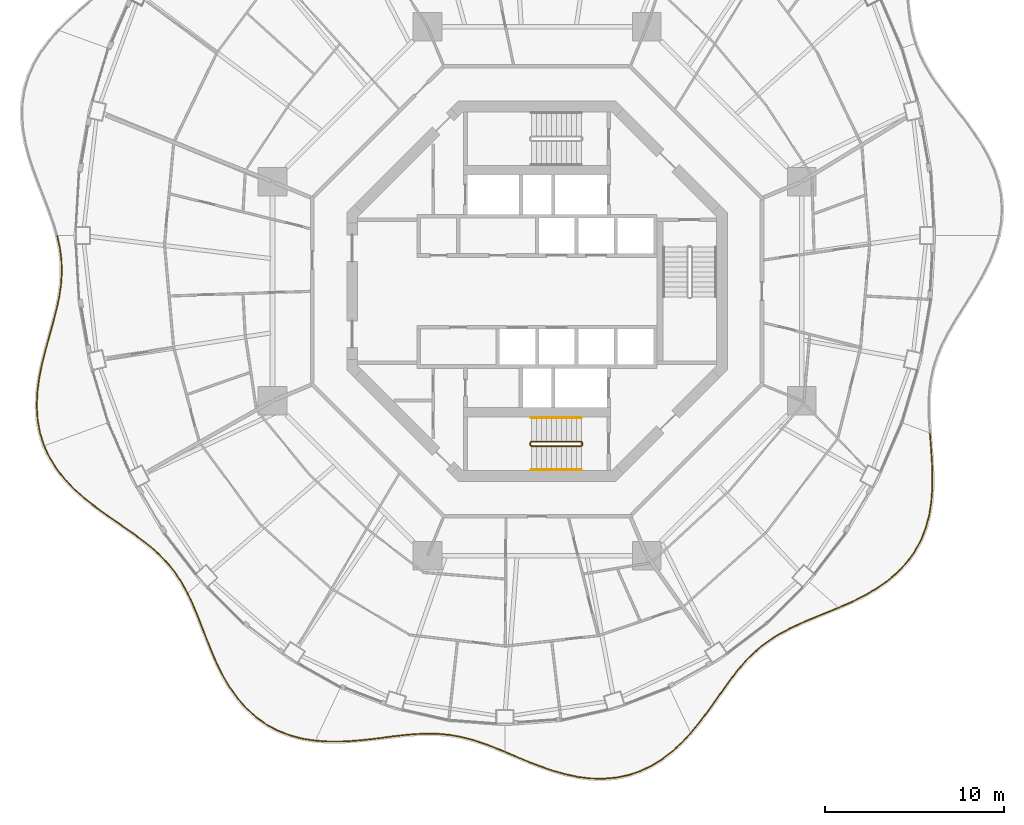
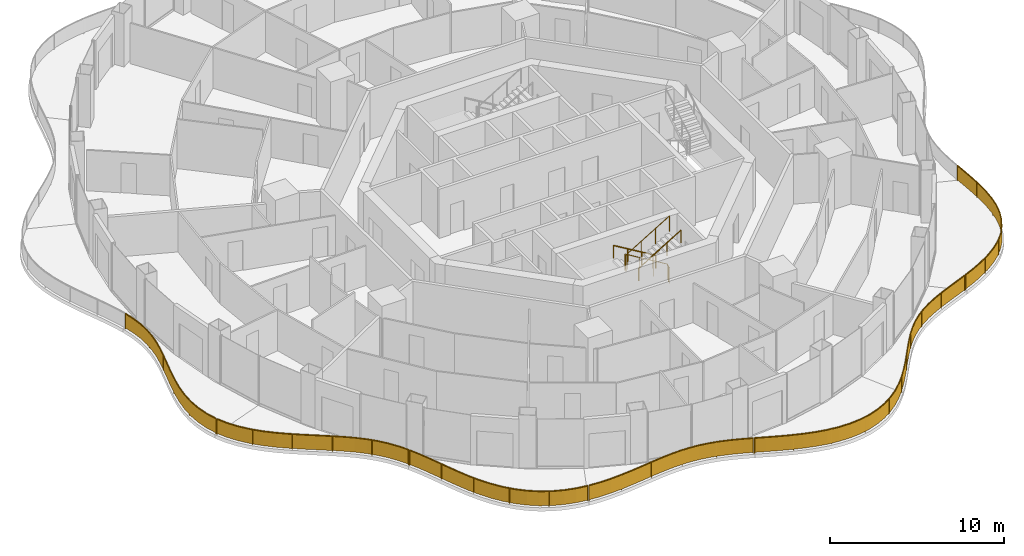
# One storey, part 16 of 18: 10 railings.
"""IFC4 building model written with IfcOpenShell, lengths in metres."""

from ifc_helpers import new_model, si_unit, direction, frame, origin, origin_2d, place, context, subcontext, project, spatial, polyline, rectangle, circle, outline, extrude, material, type_object, element, save


model = new_model("IFC4")

# Units and contexts
model_context = context("Model", 3, precision=1e-05, world=origin(), true_north=direction((0.0, 1.0)))
body_context = subcontext(model_context, "Body", "Model", "MODEL_VIEW")
ifc_project = project(units=[si_unit("LENGTHUNIT", "METRE"), si_unit("AREAUNIT", "SQUARE_METRE"), si_unit("VOLUMEUNIT", "CUBIC_METRE"), si_unit("PLANEANGLEUNIT", "RADIAN"), si_unit("MASSUNIT", "GRAM", prefix="KILO")], contexts=[model_context])

# Site, building, storey
site_placement = place(None, origin())
site = spatial("IfcSite", under=ifc_project, at=site_placement, CompositionType="ELEMENT")
building_placement = place(site_placement, origin())
building = spatial("IfcBuilding", under=site, at=building_placement, Name="Nagisa Residences", CompositionType="ELEMENT")
storey_placement = place(building_placement, frame((0.0, 0.0, 215.89990234375)))
storey = spatial("IfcBuildingStorey", under=building, at=storey_placement, Name="L54", CompositionType="ELEMENT", Elevation=215.89990234375)

# Railings
ifc_material_1 = material(Name="Stainless steel 316", Category="steel")
railing_type_1 = type_object("IfcRailingType", Name="BALCONY GUARD 1100", PredefinedType="BALUSTRADE", material=ifc_material_1)
railing_1_placement = place(storey_placement, frame((-26.8056640625, 3.0830078125, 0.0)))
element("IfcRailing", 1, at=railing_1_placement, inside=storey, type_object=railing_type_1, Name="guard:L54:bal08-0", PredefinedType="BALUSTRADE", context=body_context, shape_type="SweptSolid", body=[
    extrude(outline(polyline([(0.167236328125, -0.64208984375), (0.0244140625, 0.00537109375), (-0.0244140625, -0.00537109375), (0.117919921875, -0.65087890625), (0.205810546875, -1.33349609375), (0.2275390625, -2.017822265625), (0.184326171875, -2.708740234375), (0.081298828125, -3.411376953125), (-0.07275390625, -4.11474609375), (-0.26171875, -4.8486328125), (-0.470703125, -5.60009765625), (-0.681396484375, -6.366943359375), (-0.874755859375, -7.146484375), (-1.03466796875, -7.92041015625), (-1.1376953125, -8.7099609375), (-1.171630859375, -9.494140625), (-1.123779296875, -10.26513671875), (-0.98681640625, -11.015625), (-0.770751953125, -11.692626953125), (-0.722900390625, -11.677490234375), (-0.93798828125, -11.00341796875), (-1.073974609375, -10.25927734375), (-1.121337890625, -9.49365234375), (-1.087890625, -8.71435546875), (-0.9853515625, -7.9287109375), (-0.825927734375, -7.15771484375), (-0.633056640625, -6.379638671875), (-0.42236328125, -5.61328125), (-0.21337890625, -4.86181640625), (-0.02392578125, -4.12646484375), (0.130615234375, -3.420166015625), (0.234130859375, -2.714111328125), (0.27783203125, -2.018798828125), (0.255615234375, -1.32958984375), (0.167236328125, -0.64208984375)])), frame((0.0, 0.0, 1.050048828125)), (0.0, 0.0, 1.0), 0.050048828125),
    extrude(outline(polyline([(0.1494140625, -0.645263671875), (0.0068359375, 0.00146484375), (-0.0068359375, -0.00146484375), (0.1357421875, -0.647705078125), (0.2236328125, -1.33203125), (0.24560546875, -2.018310546875), (0.2021484375, -2.710693359375), (0.09912109375, -3.41455078125), (-0.05517578125, -4.118896484375), (-0.244384765625, -4.853515625), (-0.453369140625, -5.604736328125), (-0.6640625, -6.37158203125), (-0.857177734375, -7.150634765625), (-1.016845703125, -7.92333984375), (-1.119873046875, -8.711669921875), (-1.153564453125, -9.493896484375), (-1.10595703125, -10.262939453125), (-0.96923828125, -11.01123046875), (-0.75341796875, -11.687255859375), (-0.740234375, -11.682861328125), (-0.95556640625, -11.0078125), (-1.091796875, -10.261474609375), (-1.139404296875, -9.493896484375), (-1.105712890625, -8.712646484375), (-1.003173828125, -7.92578125), (-0.843505859375, -7.153564453125), (-0.650390625, -6.375), (-0.439697265625, -5.608642578125), (-0.230712890625, -4.85693359375), (-0.04150390625, -4.122314453125), (0.11279296875, -3.4169921875), (0.21630859375, -2.712158203125), (0.259765625, -2.018310546875), (0.23779296875, -1.3310546875), (0.1494140625, -0.645263671875)])), frame((0.0, 0.0, 0.06005859375)), (0.0, 0.0, 1.0), 0.989990234375),
    extrude(rectangle(XDim=0.0400390625, YDim=0.0400390625, at=origin_2d()), origin(), (0.0, 0.0, 1.0), 1.050048828125),
    extrude(rectangle(XDim=0.0400390625, YDim=0.0400390625, at=origin_2d()), frame((0.231201171875, -2.359375, 0.0)), (0.0, 0.0, 1.0), 1.050048828125),
    extrude(rectangle(XDim=0.0400390625, YDim=0.0400390625, at=origin_2d()), frame((-0.19677734375, -4.697265625, 0.0)), (0.0, 0.0, 1.0), 1.050048828125),
    extrude(rectangle(XDim=0.0400390625, YDim=0.0400390625, at=origin_2d()), frame((-0.81201171875, -6.997802734375, 0.0)), (0.0, 0.0, 1.0), 1.050048828125),
    extrude(rectangle(XDim=0.0400390625, YDim=0.0400390625, at=origin_2d()), frame((-1.140380859375, -9.35107421875, 0.0)), (0.0, 0.0, 1.0), 1.050048828125),
    extrude(rectangle(XDim=0.0400390625, YDim=0.0400390625, at=origin_2d()), frame((-0.746826171875, -11.68505859375, 0.0)), (0.0, 0.0, 1.0), 1.050048828125),
])
railing_2_placement = place(storey_placement, frame((-27.524169921875, -8.674072265625, 0.0)))
element("IfcRailing", 2, at=railing_2_placement, inside=storey, type_object=railing_type_1, Name="guard:L54:bal09-0", PredefinedType="BALUSTRADE", context=body_context, shape_type="SweptSolid", body=[
    extrude(outline(polyline([(0.3134765625, -0.611083984375), (0.022705078125, 0.010498046875), (-0.022705078125, -0.010498046875), (0.26953125, -0.635009765625), (0.66357421875, -1.266357421875), (1.13232421875, -1.859130859375), (1.66357421875, -2.41357421875), (2.244140625, -2.931396484375), (2.851806640625, -3.403564453125), (3.48388671875, -3.8623046875), (4.117919921875, -4.30224609375), (4.73876953125, -4.732666015625), (5.333251953125, -5.162841796875), (5.8828125, -5.59033203125), (6.396728515625, -6.049072265625), (6.862060546875, -6.535400390625), (7.27880859375, -7.0556640625), (7.64990234375, -7.614013671875), (7.96044921875, -8.17626953125), (8.00439453125, -8.15185546875), (7.69287109375, -7.588134765625), (7.3193359375, -7.02587890625), (6.899658203125, -6.502197265625), (6.431396484375, -6.012939453125), (5.9150390625, -5.5517578125), (5.363525390625, -5.122802734375), (4.767578125, -4.691650390625), (4.146240234375, -4.26123046875), (3.5126953125, -3.8212890625), (2.882080078125, -3.363525390625), (2.2763671875, -2.892822265625), (1.6982421875, -2.37744140625), (1.169921875, -1.826416015625), (0.70458984375, -1.237548828125), (0.3134765625, -0.611083984375)])), frame((0.0, 0.0, 1.050048828125)), (0.0, 0.0, 1.0), 0.050048828125),
    extrude(outline(polyline([(0.297607421875, -0.61962890625), (0.00634765625, 0.0029296875), (-0.00634765625, -0.0029296875), (0.285400390625, -0.62646484375), (0.678466796875, -1.256103515625), (1.145751953125, -1.847412109375), (1.676025390625, -2.400634765625), (2.255859375, -2.91748046875), (2.86279296875, -3.38916015625), (3.494140625, -3.847412109375), (4.128173828125, -4.28759765625), (4.7490234375, -4.7177734375), (5.34423828125, -5.1484375), (5.89453125, -5.576416015625), (6.4091796875, -6.0361328125), (6.87548828125, -6.5234375), (7.29345703125, -7.044921875), (7.665283203125, -7.604736328125), (7.976318359375, -8.16748046875), (7.988525390625, -8.16064453125), (7.677490234375, -7.597412109375), (7.3046875, -7.03662109375), (6.88623046875, -6.51416015625), (6.4189453125, -6.02587890625), (5.9033203125, -5.565673828125), (5.3525390625, -5.13720703125), (4.75732421875, -4.70654296875), (4.135986328125, -4.27587890625), (3.50244140625, -3.836181640625), (2.87109375, -3.3779296875), (2.2646484375, -2.90673828125), (1.685791015625, -2.390380859375), (1.156494140625, -1.838134765625), (0.689697265625, -1.247802734375), (0.297607421875, -0.61962890625)])), frame((0.0, 0.0, 0.06005859375)), (0.0, 0.0, 1.0), 0.989990234375),
    extrude(rectangle(XDim=0.0400390625, YDim=0.0400390625, at=origin_2d()), origin(), (0.0, 0.0, 1.0), 1.050048828125),
    extrude(rectangle(XDim=0.0400390625, YDim=0.0400390625, at=origin_2d()), frame((1.243896484375, -1.939697265625, 0.0)), (0.0, 0.0, 1.0), 1.050048828125),
    extrude(rectangle(XDim=0.0400390625, YDim=0.0400390625, at=origin_2d()), frame((2.980712890625, -3.466064453125, 0.0)), (0.0, 0.0, 1.0), 1.050048828125),
    extrude(rectangle(XDim=0.0400390625, YDim=0.0400390625, at=origin_2d()), frame((4.87451171875, -4.7998046875, 0.0)), (0.0, 0.0, 1.0), 1.050048828125),
    extrude(rectangle(XDim=0.0400390625, YDim=0.0400390625, at=origin_2d()), frame((6.651611328125, -6.279052734375, 0.0)), (0.0, 0.0, 1.0), 1.050048828125),
    extrude(rectangle(XDim=0.0400390625, YDim=0.0400390625, at=origin_2d()), frame((7.982421875, -8.1640625, 0.0)), (0.0, 0.0, 1.0), 1.050048828125),
])
railing_3_placement = place(storey_placement, frame((-19.51123046875, -16.90283203125, 0.0)))
element("IfcRailing", 3, at=railing_3_placement, inside=storey, type_object=railing_type_1, Name="guard:L54:bal10-0", PredefinedType="BALUSTRADE", context=body_context, shape_type="SweptSolid", body=[
    extrude(outline(polyline([(0.291259765625, -0.559814453125), (0.022705078125, 0.0107421875), (-0.022705078125, -0.0107421875), (0.245361328125, -0.580322265625), (0.51416015625, -1.22021484375), (0.77490234375, -1.88623046875), (1.039794921875, -2.57080078125), (1.319091796875, -3.263427734375), (1.6123046875, -3.94189453125), (1.952880859375, -4.615478515625), (2.336669921875, -5.260498046875), (2.76904296875, -5.864501953125), (3.253662109375, -6.416015625), (3.779541015625, -6.897216796875), (4.366455078125, -7.314697265625), (5.002685546875, -7.658203125), (5.680419921875, -7.92431640625), (6.392333984375, -8.114013671875), (7.082275390625, -8.221923828125), (7.090087890625, -8.172607421875), (6.402587890625, -8.065185546875), (5.696044921875, -7.87646484375), (5.023681640625, -7.61279296875), (4.392822265625, -7.272216796875), (3.811279296875, -6.858154296875), (3.289306640625, -6.380859375), (2.80810546875, -5.833251953125), (2.378662109375, -5.233154296875), (1.996826171875, -4.591552734375), (1.65771484375, -3.9208984375), (1.365478515625, -3.243896484375), (1.086181640625, -2.55224609375), (0.82177734375, -1.8681640625), (0.560546875, -1.201171875), (0.291259765625, -0.559814453125)])), frame((0.0, 0.0, 1.050048828125)), (0.0, 0.0, 1.0), 0.050048828125),
    extrude(outline(polyline([(0.274658203125, -0.567138671875), (0.00634765625, 0.0029296875), (-0.00634765625, -0.0029296875), (0.261962890625, -0.572998046875), (0.53076171875, -1.21337890625), (0.791748046875, -1.879638671875), (1.056396484375, -2.564208984375), (1.3359375, -3.25634765625), (1.628662109375, -3.934326171875), (1.96875, -4.60693359375), (2.351806640625, -5.250732421875), (2.783203125, -5.853271484375), (3.266357421875, -6.4033203125), (3.791015625, -6.883056640625), (4.3759765625, -7.29931640625), (5.01025390625, -7.641845703125), (5.68603515625, -7.906982421875), (6.39599609375, -8.096435546875), (7.085205078125, -8.2041015625), (7.087158203125, -8.1904296875), (6.39892578125, -8.082763671875), (5.6904296875, -7.893798828125), (5.01611328125, -7.629150390625), (4.38330078125, -7.28759765625), (3.7998046875, -6.872314453125), (3.276611328125, -6.3935546875), (2.7939453125, -5.844482421875), (2.363525390625, -5.242919921875), (1.98095703125, -4.60009765625), (1.641357421875, -3.928466796875), (1.3486328125, -3.2509765625), (1.069580078125, -2.558837890625), (0.804931640625, -1.874755859375), (0.5439453125, -1.2080078125), (0.274658203125, -0.567138671875)])), frame((0.0, 0.0, 0.06005859375)), (0.0, 0.0, 1.0), 0.989990234375),
    extrude(rectangle(XDim=0.0400390625, YDim=0.0400390625, at=origin_2d()), origin(), (0.0, 0.0, 1.0), 1.050048828125),
    extrude(rectangle(XDim=0.0400390625, YDim=0.0400390625, at=origin_2d()), frame((0.89453125, -2.125732421875, 0.0)), (0.0, 0.0, 1.0), 1.050048828125),
    extrude(rectangle(XDim=0.0400390625, YDim=0.0400390625, at=origin_2d()), frame((1.79541015625, -4.24853515625, 0.0)), (0.0, 0.0, 1.0), 1.050048828125),
    extrude(rectangle(XDim=0.0400390625, YDim=0.0400390625, at=origin_2d()), frame((3.066162109375, -6.164794921875, 0.0)), (0.0, 0.0, 1.0), 1.050048828125),
    extrude(rectangle(XDim=0.0400390625, YDim=0.0400390625, at=origin_2d()), frame((4.88037109375, -7.563720703125, 0.0)), (0.0, 0.0, 1.0), 1.050048828125),
    extrude(rectangle(XDim=0.0400390625, YDim=0.0400390625, at=origin_2d()), frame((7.086181640625, -8.197265625, 0.0)), (0.0, 0.0, 1.0), 1.050048828125),
])
railing_4_placement = place(storey_placement, frame((-12.34814453125, -25.10791015625, 0.0)))
element("IfcRailing", 4, at=railing_4_placement, inside=storey, type_object=railing_type_1, Name="guard:L54:bal11-0", PredefinedType="BALUSTRADE", context=body_context, shape_type="SweptSolid", body=[
    extrude(outline(polyline([(0.678466796875, -0.021240234375), (0.001708984375, 0.02490234375), (-0.001708984375, -0.02490234375), (0.676513671875, -0.071044921875), (1.409912109375, -0.07177734375), (2.142578125, -0.03125), (2.86865234375, 0.03759765625), (3.582275390625, 0.122314453125), (4.26318359375, 0.214599609375), (4.94189453125, 0.29150390625), (5.60205078125, 0.346923828125), (6.244384765625, 0.370361328125), (6.871337890625, 0.35498046875), (7.468994140625, 0.29736328125), (8.078125, 0.190673828125), (8.685302734375, 0.037841796875), (9.29638671875, -0.156982421875), (9.915771484375, -0.3876953125), (10.50439453125, -0.6298828125), (10.5234375, -0.58349609375), (9.933837890625, -0.34130859375), (9.3125, -0.109619140625), (8.698974609375, 0.086181640625), (8.08837890625, 0.239501953125), (7.475830078125, 0.34716796875), (6.874267578125, 0.40478515625), (6.243896484375, 0.420654296875), (5.59912109375, 0.396728515625), (4.93701171875, 0.34130859375), (4.2568359375, 0.264404296875), (3.575927734375, 0.172119140625), (2.86328125, 0.08740234375), (2.138671875, 0.0185546875), (1.408447265625, -0.021484375), (0.678466796875, -0.021240234375)])), frame((0.0, 0.0, 1.050048828125)), (0.0, 0.0, 1.0), 0.050048828125),
    extrude(outline(polyline([(0.677734375, -0.0390625), (0.00048828125, 0.007080078125), (-0.00048828125, -0.007080078125), (0.67724609375, -0.05322265625), (1.409423828125, -0.0537109375), (2.14111328125, -0.013427734375), (2.86669921875, 0.055419921875), (3.580078125, 0.140380859375), (4.260986328125, 0.232666015625), (4.940185546875, 0.309326171875), (5.60107421875, 0.36474609375), (6.244140625, 0.388427734375), (6.872314453125, 0.372802734375), (7.471435546875, 0.3154296875), (8.081787109375, 0.208251953125), (8.690185546875, 0.05517578125), (9.30224609375, -0.139892578125), (9.92236328125, -0.37109375), (10.51123046875, -0.61328125), (10.5166015625, -0.60009765625), (9.92724609375, -0.35791015625), (9.306640625, -0.126708984375), (8.694091796875, 0.06884765625), (8.084716796875, 0.221923828125), (7.473388671875, 0.3291015625), (6.873291015625, 0.386962890625), (6.244140625, 0.402587890625), (5.60009765625, 0.37890625), (4.938720703125, 0.323486328125), (4.259033203125, 0.246337890625), (3.578125, 0.154052734375), (2.865234375, 0.069580078125), (2.14013671875, 0.000732421875), (1.408935546875, -0.03955078125), (0.677734375, -0.0390625)])), frame((0.0, 0.0, 0.06005859375)), (0.0, 0.0, 1.0), 0.989990234375),
    extrude(rectangle(XDim=0.0400390625, YDim=0.0400390625, at=origin_2d()), origin(), (0.0, 0.0, 1.0), 1.050048828125),
    extrude(rectangle(XDim=0.0400390625, YDim=0.0400390625, at=origin_2d()), frame((2.13525390625, -0.006591796875, 0.0)), (0.0, 0.0, 1.0), 1.050048828125),
    extrude(rectangle(XDim=0.0400390625, YDim=0.0400390625, at=origin_2d()), frame((4.258544921875, 0.2392578125, 0.0)), (0.0, 0.0, 1.0), 1.050048828125),
    extrude(rectangle(XDim=0.0400390625, YDim=0.0400390625, at=origin_2d()), frame((6.389404296875, 0.391845703125, 0.0)), (0.0, 0.0, 1.0), 1.050048828125),
    extrude(rectangle(XDim=0.0400390625, YDim=0.0400390625, at=origin_2d()), frame((8.501953125, 0.10986328125, 0.0)), (0.0, 0.0, 1.0), 1.050048828125),
    extrude(rectangle(XDim=0.0400390625, YDim=0.0400390625, at=origin_2d()), frame((10.513916015625, -0.606689453125, 0.0)), (0.0, 0.0, 1.0), 1.050048828125),
])
railing_5_placement = place(storey_placement, frame((-1.765869140625, -25.745361328125, 0.0)))
element("IfcRailing", 5, at=railing_5_placement, inside=storey, type_object=railing_type_1, Name="guard:L54:bal12-0", PredefinedType="BALUSTRADE", context=body_context, shape_type="SweptSolid", body=[
    extrude(outline(polyline([(0.614013671875, -0.234619140625), (0.009765625, 0.02294921875), (-0.009765625, -0.02294921875), (0.594482421875, -0.280517578125), (1.2587890625, -0.556396484375), (1.93994140625, -0.820556640625), (2.636474609375, -1.059814453125), (3.344482421875, -1.26025390625), (4.04541015625, -1.411376953125), (4.765869140625, -1.497314453125), (5.482421875, -1.512451171875), (6.189208984375, -1.449951171875), (6.87890625, -1.306640625), (7.529296875, -1.08740234375), (8.1669921875, -0.785400390625), (8.7724609375, -0.410888671875), (9.343017578125, 0.02783203125), (9.87744140625, 0.520263671875), (10.343017578125, 1.022705078125), (10.306396484375, 1.056884765625), (9.84228515625, 0.555908203125), (9.310791015625, 0.06591796875), (8.744140625, -0.369873046875), (8.14306640625, -0.741455078125), (7.5107421875, -1.041015625), (6.86572265625, -1.25830078125), (6.181884765625, -1.400146484375), (5.48095703125, -1.462158203125), (4.769287109375, -1.447509765625), (4.0537109375, -1.362060546875), (3.356689453125, -1.21142578125), (2.651611328125, -1.011962890625), (1.95703125, -0.773681640625), (1.27734375, -0.510009765625), (0.614013671875, -0.234619140625)])), frame((0.0, 0.0, 1.050048828125)), (0.0, 0.0, 1.0), 0.050048828125),
    extrude(outline(polyline([(0.60693359375, -0.251220703125), (0.002685546875, 0.00634765625), (-0.002685546875, -0.00634765625), (0.6015625, -0.263916015625), (1.265380859375, -0.539794921875), (1.946044921875, -0.8037109375), (2.641845703125, -1.04248046875), (3.348876953125, -1.24267578125), (4.04833984375, -1.3935546875), (4.76708984375, -1.4794921875), (5.48193359375, -1.494384765625), (6.1865234375, -1.431884765625), (6.874267578125, -1.289306640625), (7.522705078125, -1.07080078125), (8.158447265625, -0.76953125), (8.76220703125, -0.396240234375), (9.331298828125, 0.04150390625), (9.86474609375, 0.533203125), (10.329833984375, 1.03515625), (10.319580078125, 1.04443359375), (9.85498046875, 0.54296875), (9.322509765625, 0.05224609375), (8.75439453125, -0.384521484375), (8.151611328125, -0.75732421875), (7.517333984375, -1.0576171875), (6.870361328125, -1.275634765625), (6.1845703125, -1.418212890625), (5.4814453125, -1.480224609375), (4.76806640625, -1.46533203125), (4.05078125, -1.3798828125), (3.352294921875, -1.22900390625), (2.646240234375, -1.029296875), (1.950927734375, -0.79052734375), (1.270751953125, -0.526611328125), (0.60693359375, -0.251220703125)])), frame((0.0, 0.0, 0.06005859375)), (0.0, 0.0, 1.0), 0.989990234375),
    extrude(rectangle(XDim=0.0400390625, YDim=0.0400390625, at=origin_2d()), origin(), (0.0, 0.0, 1.0), 1.050048828125),
    extrude(rectangle(XDim=0.0400390625, YDim=0.0400390625, at=origin_2d()), frame((2.10546875, -0.85107421875, 0.0)), (0.0, 0.0, 1.0), 1.050048828125),
    extrude(rectangle(XDim=0.0400390625, YDim=0.0400390625, at=origin_2d()), frame((4.30029296875, -1.416748046875, 0.0)), (0.0, 0.0, 1.0), 1.050048828125),
    extrude(rectangle(XDim=0.0400390625, YDim=0.0400390625, at=origin_2d()), frame((6.5576171875, -1.347900390625, 0.0)), (0.0, 0.0, 1.0), 1.050048828125),
    extrude(rectangle(XDim=0.0400390625, YDim=0.0400390625, at=origin_2d()), frame((8.634765625, -0.466796875, 0.0)), (0.0, 0.0, 1.0), 1.050048828125),
    extrude(rectangle(XDim=0.0400390625, YDim=0.0400390625, at=origin_2d()), frame((10.32470703125, 1.039794921875, 0.0)), (0.0, 0.0, 1.0), 1.050048828125),
])
railing_6_placement = place(storey_placement, frame((8.60888671875, -24.64697265625, 0.0)))
element("IfcRailing", 6, at=railing_6_placement, inside=storey, type_object=railing_type_1, Name="guard:L54:bal13-0", PredefinedType="BALUSTRADE", context=body_context, shape_type="SweptSolid", body=[
    extrude(outline(polyline([(0.4326171875, 0.566162109375), (-0.019287109375, 0.015869140625), (0.019287109375, -0.015869140625), (0.47216796875, 0.535400390625), (0.927978515625, 1.137939453125), (1.36181640625, 1.743408203125), (1.781494140625, 2.337890625), (2.19677734375, 2.91064453125), (2.6025390625, 3.442138671875), (3.035400390625, 3.944580078125), (3.489990234375, 4.40478515625), (3.97314453125, 4.82177734375), (4.489501953125, 5.197509765625), (5.02978515625, 5.525390625), (5.61865234375, 5.833984375), (6.241455078125, 6.120849609375), (6.892822265625, 6.395751953125), (7.56591796875, 6.66943359375), (8.208984375, 6.932861328125), (8.18994140625, 6.979248046875), (7.546875, 6.7158203125), (6.873779296875, 6.442138671875), (6.221435546875, 6.166748046875), (5.5966796875, 5.87890625), (5.00537109375, 5.56884765625), (4.461669921875, 5.239013671875), (3.94189453125, 4.86083984375), (3.455810546875, 4.44140625), (2.998779296875, 3.978759765625), (2.5634765625, 3.473876953125), (2.15673828125, 2.9404296875), (1.740966796875, 2.3671875), (1.32080078125, 1.772216796875), (0.887451171875, 1.167724609375), (0.4326171875, 0.566162109375)])), frame((0.0, 0.0, 1.050048828125)), (0.0, 0.0, 1.0), 0.050048828125),
    extrude(outline(polyline([(0.44677734375, 0.55517578125), (-0.00537109375, 0.00439453125), (0.00537109375, -0.00439453125), (0.4580078125, 0.54638671875), (0.913330078125, 1.148681640625), (1.346923828125, 1.753662109375), (1.766845703125, 2.348388671875), (2.182373046875, 2.92138671875), (2.58837890625, 3.45361328125), (3.022216796875, 3.95703125), (3.477783203125, 4.41796875), (3.9619140625, 4.8359375), (4.4794921875, 5.21240234375), (5.02099609375, 5.541015625), (5.61083984375, 5.85009765625), (6.234375, 6.137451171875), (6.885986328125, 6.41259765625), (7.55908203125, 6.68603515625), (8.2021484375, 6.949462890625), (8.19677734375, 6.962646484375), (7.5537109375, 6.69921875), (6.880615234375, 6.42529296875), (6.228515625, 6.150146484375), (5.6044921875, 5.86279296875), (5.01416015625, 5.55322265625), (4.4716796875, 5.22412109375), (3.953125, 4.8466796875), (3.468017578125, 4.42822265625), (3.011962890625, 3.96630859375), (2.57763671875, 3.46240234375), (2.171142578125, 2.9296875), (1.755615234375, 2.356689453125), (1.335693359375, 1.761962890625), (0.902099609375, 1.156982421875), (0.44677734375, 0.55517578125)])), frame((0.0, 0.0, 0.06005859375)), (0.0, 0.0, 1.0), 0.989990234375),
    extrude(rectangle(XDim=0.0400390625, YDim=0.0400390625, at=origin_2d()), origin(), (0.0, 0.0, 1.0), 1.050048828125),
    extrude(rectangle(XDim=0.0400390625, YDim=0.0400390625, at=origin_2d()), frame((1.337646484375, 1.752685546875, 0.0)), (0.0, 0.0, 1.0), 1.050048828125),
    extrude(rectangle(XDim=0.0400390625, YDim=0.0400390625, at=origin_2d()), frame((2.64404296875, 3.529052734375, 0.0)), (0.0, 0.0, 1.0), 1.050048828125),
    extrude(rectangle(XDim=0.0400390625, YDim=0.0400390625, at=origin_2d()), frame((4.237060546875, 5.044677734375, 0.0)), (0.0, 0.0, 1.0), 1.050048828125),
    extrude(rectangle(XDim=0.0400390625, YDim=0.0400390625, at=origin_2d()), frame((6.161865234375, 6.11181640625, 0.0)), (0.0, 0.0, 1.0), 1.050048828125),
    extrude(rectangle(XDim=0.0400390625, YDim=0.0400390625, at=origin_2d()), frame((8.199462890625, 6.9560546875, 0.0)), (0.0, 0.0, 1.0), 1.050048828125),
])
railing_7_placement = place(storey_placement, frame((16.879150390625, -17.662353515625, 0.0)))
element("IfcRailing", 7, at=railing_7_placement, inside=storey, type_object=railing_type_1, Name="guard:L54:bal14-0", PredefinedType="BALUSTRADE", context=body_context, shape_type="SweptSolid", body=[
    extrude(outline(polyline([(0.6669921875, 0.320068359375), (-0.010009765625, 0.02294921875), (0.010009765625, -0.02294921875), (0.68798828125, 0.274658203125), (1.393310546875, 0.625732421875), (2.06982421875, 1.017578125), (2.704345703125, 1.458251953125), (3.282470703125, 1.94970703125), (3.787109375, 2.485107421875), (4.224609375, 3.0849609375), (4.581787109375, 3.733642578125), (4.857177734375, 4.426025390625), (5.052734375, 5.15380859375), (5.16845703125, 5.8955078125), (5.225830078125, 6.66796875), (5.23193359375, 7.448974609375), (5.19970703125, 8.2294921875), (5.146484375, 9.002197265625), (5.08984375, 9.7158203125), (5.0400390625, 9.7119140625), (5.0966796875, 8.998291015625), (5.14990234375, 8.2265625), (5.181640625, 7.447998046875), (5.176025390625, 6.669921875), (5.11865234375, 5.9013671875), (5.00390625, 5.1640625), (4.809814453125, 4.441650390625), (4.536376953125, 3.755126953125), (4.18212890625, 3.11181640625), (3.74853515625, 2.517333984375), (3.247802734375, 1.98583984375), (2.673583984375, 1.497802734375), (2.04296875, 1.06005859375), (1.369384765625, 0.669677734375), (0.6669921875, 0.320068359375)])), frame((0.0, 0.0, 1.050048828125)), (0.0, 0.0, 1.0), 0.050048828125),
    extrude(outline(polyline([(0.674560546875, 0.3037109375), (-0.0029296875, 0.00634765625), (0.0029296875, -0.00634765625), (0.680419921875, 0.291015625), (1.384765625, 0.6416015625), (2.06005859375, 1.032958984375), (2.693359375, 1.472412109375), (3.27001953125, 1.962646484375), (3.773193359375, 2.496826171875), (4.209228515625, 3.0947265625), (4.5654296875, 3.741455078125), (4.840087890625, 4.431640625), (5.03515625, 5.157470703125), (5.150634765625, 5.897705078125), (5.2080078125, 6.668701171875), (5.2138671875, 7.448486328125), (5.181884765625, 8.228515625), (5.128662109375, 9.000732421875), (5.072021484375, 9.71435546875), (5.057861328125, 9.71337890625), (5.114501953125, 8.999755859375), (5.167724609375, 8.2275390625), (5.19970703125, 7.448486328125), (5.19384765625, 6.669189453125), (5.136474609375, 5.899169921875), (5.021484375, 5.160400390625), (4.826904296875, 4.43603515625), (4.552734375, 3.747314453125), (4.197509765625, 3.10205078125), (3.762451171875, 2.505615234375), (3.26025390625, 1.972900390625), (2.6845703125, 1.483642578125), (2.052734375, 1.044677734375), (1.3779296875, 0.65380859375), (0.674560546875, 0.3037109375)])), frame((0.0, 0.0, 0.06005859375)), (0.0, 0.0, 1.0), 0.989990234375),
    extrude(rectangle(XDim=0.0400390625, YDim=0.0400390625, at=origin_2d()), origin(), (0.0, 0.0, 1.0), 1.050048828125),
    extrude(rectangle(XDim=0.0400390625, YDim=0.0400390625, at=origin_2d()), frame((1.806640625, 0.89404296875, 0.0)), (0.0, 0.0, 1.0), 1.050048828125),
    extrude(rectangle(XDim=0.0400390625, YDim=0.0400390625, at=origin_2d()), frame((3.404052734375, 2.115234375, 0.0)), (0.0, 0.0, 1.0), 1.050048828125),
    extrude(rectangle(XDim=0.0400390625, YDim=0.0400390625, at=origin_2d()), frame((4.56298828125, 3.75439453125, 0.0)), (0.0, 0.0, 1.0), 1.050048828125),
    extrude(rectangle(XDim=0.0400390625, YDim=0.0400390625, at=origin_2d()), frame((5.11083984375, 5.68798828125, 0.0)), (0.0, 0.0, 1.0), 1.050048828125),
    extrude(rectangle(XDim=0.0400390625, YDim=0.0400390625, at=origin_2d()), frame((5.196533203125, 7.70068359375, 0.0)), (0.0, 0.0, 1.0), 1.050048828125),
    extrude(rectangle(XDim=0.0400390625, YDim=0.0400390625, at=origin_2d()), frame((5.06494140625, 9.7138671875, 0.0)), (0.0, 0.0, 1.0), 1.050048828125),
])
ifc_material_2 = material(Name="Stainless steel", Category="steel")
railing_type_2 = type_object("IfcRailingType", Name="Stair guard 1100", PredefinedType="GUARDRAIL", material=ifc_material_2)
railing_8_placement = place(storey_placement, frame((2.52490234375, -8.599609375, 0.0)))
element("IfcRailing", 8, at=railing_8_placement, inside=storey, type_object=railing_type_2, Name="L54 ST-S stair guard 1", PredefinedType="GUARDRAIL", context=body_context, shape_type="SweptSolid", body=[
    extrude(circle(Radius=0.02392578125, at=origin_2d()), frame((0.0, 0.0, 1.076171875), z_axis=(0.0, 1.0, 0.0), x_axis=(-1.0, 0.0, 0.0)), (0.0, 0.0, 1.0), 0.14990234375),
    extrude(circle(Radius=0.02392578125, at=origin_2d()), frame((0.0, 0.14990234375, 1.076171875), z_axis=(-0.273006030465, 0.27434429532, 0.922064485248), x_axis=(-0.708833529934, -0.705375805398, 0.0)), (0.0, 0.0, 1.0), 0.182373046875),
    extrude(circle(Radius=0.02392578125, at=origin_2d()), frame((-0.0498046875, 0.199951171875, 1.244140625), z_axis=(-0.857242210791, 0.0, 0.514913383045), x_axis=(0.0, -1.0, 0.0)), (0.0, 0.0, 1.0), 3.266357421875),
    extrude(circle(Radius=0.02392578125, at=origin_2d()), frame((-2.849853515625, 0.199951171875, 2.92626953125), z_axis=(-0.707106781187, -0.707106781187, 0.0), x_axis=(0.707106781187, -0.707106781187, 0.0)), (0.0, 0.0, 1.0), 0.07080078125),
    extrude(circle(Radius=0.02392578125, at=origin_2d()), frame((-2.89990234375, 0.14990234375, 2.92626953125), z_axis=(0.0, -1.0, 0.0), x_axis=(1.0, 0.0, 0.0)), (0.0, 0.0, 1.0), 0.14990234375),
    extrude(circle(Radius=0.02392578125, at=origin_2d()), frame((-2.89990234375, 0.0, 2.92626953125), z_axis=(0.274243871929, -0.274243871929, 0.92172696468), x_axis=(0.707106781187, 0.707106781187, 0.0)), (0.0, 0.0, 1.0), 0.1826171875),
    extrude(circle(Radius=0.02392578125, at=origin_2d()), frame((-2.849853515625, -0.050048828125, 3.09423828125), z_axis=(0.857242210791, 0.0, 0.514913383045), x_axis=(0.0, 1.0, 0.0)), (0.0, 0.0, 1.0), 3.266357421875),
    extrude(circle(Radius=0.02099609375, at=origin_2d()), origin(), (0.0, 0.0, 1.0), 1.052001953125),
    extrude(circle(Radius=0.02099609375, at=origin_2d()), frame((0.0, 0.14990234375, 0.0)), (0.0, 0.0, 1.0), 1.052001953125),
    extrude(circle(Radius=0.02099609375, at=origin_2d()), frame((-0.0498046875, 0.199951171875, 0.168212890625)), (0.0, 0.0, 1.0), 1.052001953125),
    extrude(circle(Radius=0.02099609375, at=origin_2d()), frame((-0.983154296875, 0.199951171875, 0.728759765625)), (0.0, 0.0, 1.0), 1.052001953125),
    extrude(circle(Radius=0.02099609375, at=origin_2d()), frame((-1.91650390625, 0.199951171875, 1.28955078125)), (0.0, 0.0, 1.0), 1.052001953125),
    extrude(circle(Radius=0.02099609375, at=origin_2d()), frame((-2.849853515625, 0.199951171875, 1.85009765625)), (0.0, 0.0, 1.0), 1.052001953125),
    extrude(circle(Radius=0.02099609375, at=origin_2d()), frame((-2.89990234375, 0.14990234375, 1.85009765625)), (0.0, 0.0, 1.0), 1.052001953125),
    extrude(circle(Radius=0.02099609375, at=origin_2d()), frame((-2.89990234375, 0.0, 1.85009765625)), (0.0, 0.0, 1.0), 1.052001953125),
    extrude(circle(Radius=0.02099609375, at=origin_2d()), frame((-2.849853515625, -0.050048828125, 2.018310546875)), (0.0, 0.0, 1.0), 1.052001953125),
    extrude(circle(Radius=0.02099609375, at=origin_2d()), frame((-1.91650390625, -0.050048828125, 2.578857421875)), (0.0, 0.0, 1.0), 1.052001953125),
    extrude(circle(Radius=0.02099609375, at=origin_2d()), frame((-0.983154296875, -0.050048828125, 3.1396484375)), (0.0, 0.0, 1.0), 1.052001953125),
    extrude(circle(Radius=0.02099609375, at=origin_2d()), frame((-0.0498046875, -0.050048828125, 3.7001953125)), (0.0, 0.0, 1.0), 1.052001953125),
])
ifc_material_3 = material(Name="Stainless steel", Category="steel")
railing_type_3 = type_object("IfcRailingType", Name="Stair handrail 900", PredefinedType="HANDRAIL", material=ifc_material_3)
railing_9_placement = place(storey_placement, frame((2.47509765625, -7.07470703125, 0.168212890625)))
element("IfcRailing", 9, at=railing_9_placement, inside=storey, type_object=railing_type_3, Name="L54 ST-S stair handrail 1", PredefinedType="HANDRAIL", context=body_context, shape_type="SweptSolid", body=[
    extrude(circle(Radius=0.02392578125, at=origin_2d()), frame((0.0, 0.0, 0.8759765625), z_axis=(-0.857242210791, 0.0, 0.514913383045), x_axis=(0.0, -1.0, 0.0)), (0.0, 0.0, 1.0), 3.266357421875),
    extrude(circle(Radius=0.02099609375, at=origin_2d()), origin(), (0.0, 0.0, 1.0), 0.851806640625),
    extrude(circle(Radius=0.02099609375, at=origin_2d()), frame((-0.933349609375, 0.0, 0.560546875)), (0.0, 0.0, 1.0), 0.851806640625),
    extrude(circle(Radius=0.02099609375, at=origin_2d()), frame((-1.86669921875, 0.0, 1.121337890625)), (0.0, 0.0, 1.0), 0.851806640625),
    extrude(circle(Radius=0.02099609375, at=origin_2d()), frame((-2.800048828125, 0.0, 1.681884765625)), (0.0, 0.0, 1.0), 0.851806640625),
])
railing_10_placement = place(storey_placement, frame((-0.324951171875, -9.974609375, 2.018310546875)))
element("IfcRailing", 10, at=railing_10_placement, inside=storey, type_object=railing_type_3, Name="L54 ST-S stair handrail 2", PredefinedType="HANDRAIL", context=body_context, shape_type="SweptSolid", body=[
    extrude(circle(Radius=0.02392578125, at=origin_2d()), frame((0.0, 0.0, 0.8759765625), z_axis=(0.857242210791, 0.0, 0.514913383045), x_axis=(0.0, 1.0, 0.0)), (0.0, 0.0, 1.0), 3.266357421875),
    extrude(circle(Radius=0.02099609375, at=origin_2d()), origin(), (0.0, 0.0, 1.0), 0.851806640625),
    extrude(circle(Radius=0.02099609375, at=origin_2d()), frame((0.933349609375, 0.0, 0.560546875)), (0.0, 0.0, 1.0), 0.851806640625),
    extrude(circle(Radius=0.02099609375, at=origin_2d()), frame((1.86669921875, 0.0, 1.121337890625)), (0.0, 0.0, 1.0), 0.851806640625),
    extrude(circle(Radius=0.02099609375, at=origin_2d()), frame((2.800048828125, 0.0, 1.681884765625)), (0.0, 0.0, 1.0), 0.851806640625),
])

save(model, "model.ifc")
